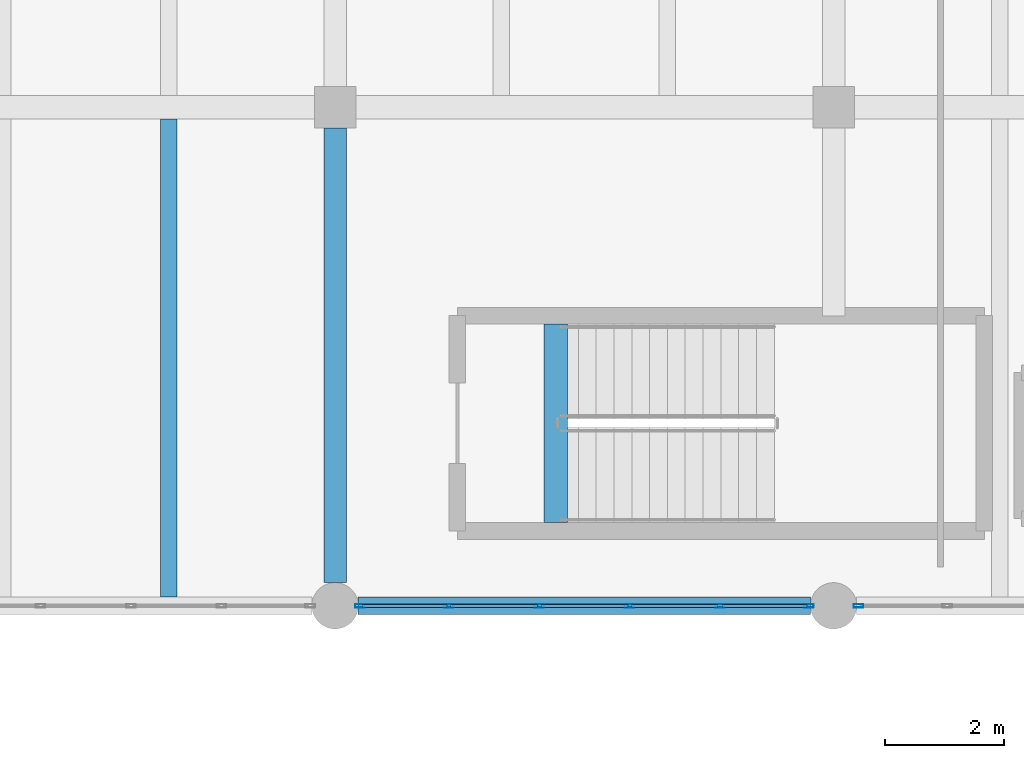
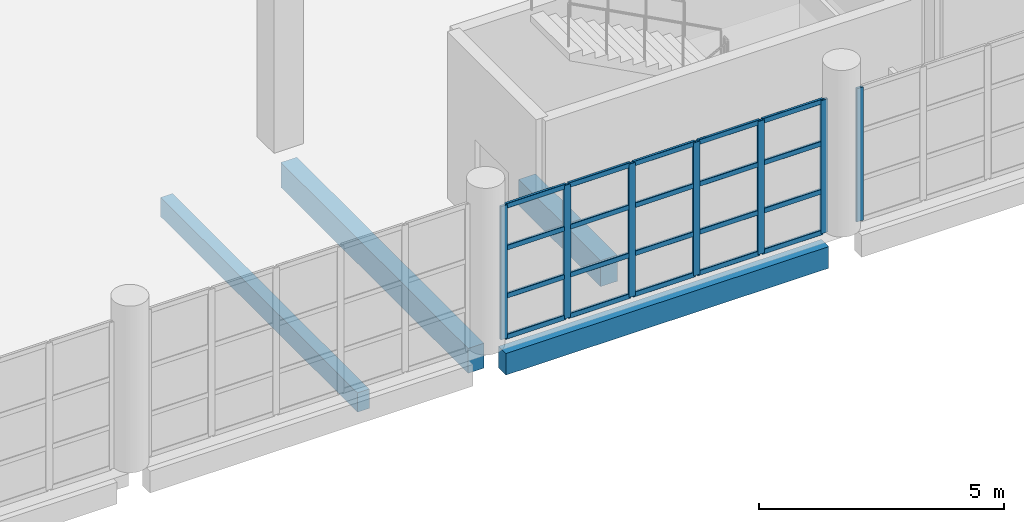
# One storey, part 86 of 177: 27 members, 4 beams, 2 elements without a shape of their own.
"""IFC4 building model written with IfcOpenShell, lengths in metres."""

from ifc_helpers import new_model, si_unit, direction, frame, origin, origin_2d, place, context, subcontext, project, spatial, rectangle, hollow_rectangle, extrude, material, layer, layer_set, material_profile, profile_set, type_object, element, aggregate, save


model = new_model("IFC4")

# Units and contexts
model_context = context("Model", 3, precision=1e-05, world=origin(), true_north=direction((0.0, 1.0)))
body_context = subcontext(model_context, "Body", "Model", "MODEL_VIEW")
ifc_project = project(units=[si_unit("LENGTHUNIT", "METRE"), si_unit("AREAUNIT", "SQUARE_METRE"), si_unit("VOLUMEUNIT", "CUBIC_METRE"), si_unit("PLANEANGLEUNIT", "RADIAN"), si_unit("MASSUNIT", "GRAM", prefix="KILO"), si_unit("THERMODYNAMICTEMPERATUREUNIT", "KELVIN"), si_unit("POWERUNIT", "WATT")], contexts=[model_context])

# Site, building, storey
site_placement = place(None, origin())
site = spatial("IfcSite", under=ifc_project, at=site_placement, CompositionType="ELEMENT")
building_placement = place(site_placement, origin())
building = spatial("IfcBuilding", under=site, at=building_placement, Name="Mavoryth Pier Ferry Terminal", CompositionType="ELEMENT")
storey_placement = place(building_placement, frame((0.0, 0.0, 5.43994140625)))
storey = spatial("IfcBuildingStorey", under=building, at=storey_placement, Name="L01", CompositionType="ELEMENT", Elevation=5.43994140625)

# Beams
ifc_material_1 = material(Name="Concrete C35/45", Category="concrete")
ifc_material_profile_1 = material_profile(ifc_material_1, rectangle(XDim=0.3798828125, YDim=0.6201171875, at=origin_2d()), Name="RC 380x620", Category="concrete")
ifc_profile_set_1 = profile_set([ifc_material_profile_1], Name="Concrete C35/45 - RC 380x620")
beam_type_1 = type_object("IfcBeamType", Name="Girder-RC-380x620", PredefinedType="BEAM", material=ifc_profile_set_1)
beam_1_placement = place(storey_placement, frame((75.60009765625, 72.7900390625, -0.58984375), z_axis=(0.0, 1.0, 0.0), x_axis=(-1.0, 0.0, 0.0)))
element("IfcBeam", 1, at=beam_1_placement, inside=storey, type_object=beam_type_1, Name="Beam B01-BG06-0215", PredefinedType="BEAM", context=body_context, shape_type="SweptSolid", body=[
    extrude(rectangle(XDim=0.3798828125, YDim=0.6201171875, at=origin_2d()), origin(), (0.0, 0.0, 1.0), 7.659912109375),
])
ifc_material_profile_2 = material_profile(ifc_material_1, rectangle(XDim=0.39990234375, YDim=0.64990234375, at=origin_2d()), Name="RC 400x650", Category="concrete")
ifc_profile_set_2 = profile_set([ifc_material_profile_2], Name="Concrete C35/45 - RC 400x650")
beam_type_2 = type_object("IfcBeamType", Name="Girder-RC-400x650", PredefinedType="BEAM", material=ifc_profile_set_2)
beam_2_placement = place(storey_placement, frame((79.320068359375, 73.800048828125, -0.324951171875), z_axis=(0.0, 1.0, 0.0), x_axis=(-1.0, 0.0, 0.0)))
element("IfcBeam", 2, at=beam_2_placement, inside=storey, type_object=beam_type_2, Name="Beam B01-BG05-1572", PredefinedType="BEAM", context=body_context, shape_type="SweptSolid", body=[
    extrude(rectangle(XDim=0.39990234375, YDim=0.64990234375, at=origin_2d()), origin(), (0.0, 0.0, 1.0), 3.349853515625),
])
ifc_material_profile_3 = material_profile(ifc_material_1, rectangle(XDim=0.280029296875, YDim=0.47998046875, at=origin_2d()), Name="RC 280x480", Category="concrete")
ifc_profile_set_3 = profile_set([ifc_material_profile_3], Name="Concrete C35/45 - RC 280x480")
beam_type_3 = type_object("IfcBeamType", Name="Joist-RC-280x480", PredefinedType="JOIST", material=ifc_profile_set_3)
beam_3_placement = place(storey_placement, frame((72.800048828125, 72.550048828125, -0.52001953125), z_axis=(0.0, 1.0, 0.0), x_axis=(-1.0, 0.0, 0.0)))
element("IfcBeam", 3, at=beam_3_placement, inside=storey, type_object=beam_type_3, Name="Beam B01-BJ02-0240", PredefinedType="JOIST", context=body_context, shape_type="SweptSolid", body=[
    extrude(rectangle(XDim=0.280029296875, YDim=0.47998046875, at=origin_2d()), origin(), (0.0, 0.0, 1.0), 8.050048828125),
])

# Curtain wall, members
ifc_material_2 = material(Name="Anodised Aluminium and Solar-Control Low-E Glass", Category="aluminium")
ifc_layer = layer(ifc_material_2, 0.159912109375, Name="Anodised Aluminium and Solar-Control Low-E Glass", Category="aluminium")
ifc_layer_set = layer_set([ifc_layer], Name="Anodised Aluminium and Solar-Control Low-E Glass - CW-Arrivals-Mod1400")
curtain_wall_type = type_object("IfcCurtainWallType", Name="CW-Arrivals-Mod1400", PredefinedType="USERDEFINED", material=ifc_layer_set)
curtain_wall_1_placement = place(storey_placement, origin())
curtain_wall_1 = element("IfcCurtainWall", 4, at=curtain_wall_1_placement, inside=storey, type_object=curtain_wall_type, Name="Curtain Wall CW-0122-059", ObjectType="UNITISED CURTAIN WALL", PredefinedType="USERDEFINED")
ifc_material_3 = material(Name="Anodised Aluminium EN AW-6063", Category="aluminium")
ifc_material_profile_4 = material_profile(ifc_material_3, hollow_rectangle(XDim=0.06005859375, YDim=0.1650390625, WallThickness=0.00390625, InnerFilletRadius=0.00390625, OuterFilletRadius=0.008056640625, at=origin_2d()), Name="AL-MULL 165x60x4", Category="aluminium")
ifc_profile_set_4 = profile_set([ifc_material_profile_4], Name="Anodised Aluminium EN AW-6063 - AL-MULL 165x60x4")
member_type_1 = type_object("IfcMemberType", Name="Mullion-Alum-165x60", PredefinedType="MULLION", material=ifc_profile_set_4)
member_1_placement = place(storey_placement, frame((76.02001953125, 72.39990234375, 0.0), z_axis=(0.0, 0.0, 1.0), x_axis=(0.0, 1.0, 0.0)))
member_1 = element("IfcMember", 5, at=member_1_placement, type_object=member_type_1, Name="CW04 mullion 1", PredefinedType="MULLION", context=body_context, shape_type="SweptSolid", body=[
    extrude(hollow_rectangle(XDim=0.06005859375, YDim=0.1650390625, WallThickness=0.00390625, InnerFilletRadius=0.00390625, OuterFilletRadius=0.008056640625, at=origin_2d()), origin(), (0.0, 0.0, 1.0), 3.324951171875),
])
member_2_placement = place(storey_placement, frame((77.513916015625, 72.39990234375, 0.0), z_axis=(0.0, 0.0, 1.0), x_axis=(0.0, 1.0, 0.0)))
member_2 = element("IfcMember", 6, at=member_2_placement, type_object=member_type_1, Name="CW04 mullion 2", PredefinedType="MULLION", context=body_context, shape_type="SweptSolid", body=[
    extrude(hollow_rectangle(XDim=0.06005859375, YDim=0.1650390625, WallThickness=0.00390625, InnerFilletRadius=0.00390625, OuterFilletRadius=0.008056640625, at=origin_2d()), origin(), (0.0, 0.0, 1.0), 3.324951171875),
])
member_3_placement = place(storey_placement, frame((79.0380859375, 72.39990234375, 0.0), z_axis=(0.0, 0.0, 1.0), x_axis=(0.0, 1.0, 0.0)))
member_3 = element("IfcMember", 7, at=member_3_placement, type_object=member_type_1, Name="CW04 mullion 3", PredefinedType="MULLION", context=body_context, shape_type="SweptSolid", body=[
    extrude(hollow_rectangle(XDim=0.06005859375, YDim=0.1650390625, WallThickness=0.00390625, InnerFilletRadius=0.00390625, OuterFilletRadius=0.008056640625, at=origin_2d()), origin(), (0.0, 0.0, 1.0), 3.324951171875),
])
member_4_placement = place(storey_placement, frame((80.56201171875, 72.39990234375, 0.0), z_axis=(0.0, 0.0, 1.0), x_axis=(0.0, 1.0, 0.0)))
member_4 = element("IfcMember", 8, at=member_4_placement, type_object=member_type_1, Name="CW04 mullion 4", PredefinedType="MULLION", context=body_context, shape_type="SweptSolid", body=[
    extrude(hollow_rectangle(XDim=0.06005859375, YDim=0.1650390625, WallThickness=0.00390625, InnerFilletRadius=0.00390625, OuterFilletRadius=0.008056640625, at=origin_2d()), origin(), (0.0, 0.0, 1.0), 3.324951171875),
])
member_5_placement = place(storey_placement, frame((82.0859375, 72.39990234375, 0.0), z_axis=(0.0, 0.0, 1.0), x_axis=(0.0, 1.0, 0.0)))
member_5 = element("IfcMember", 9, at=member_5_placement, type_object=member_type_1, Name="CW04 mullion 5", PredefinedType="MULLION", context=body_context, shape_type="SweptSolid", body=[
    extrude(hollow_rectangle(XDim=0.06005859375, YDim=0.1650390625, WallThickness=0.00390625, InnerFilletRadius=0.00390625, OuterFilletRadius=0.008056640625, at=origin_2d()), origin(), (0.0, 0.0, 1.0), 3.324951171875),
])
member_6_placement = place(storey_placement, frame((83.580078125, 72.39990234375, 0.0), z_axis=(0.0, 0.0, 1.0), x_axis=(0.0, 1.0, 0.0)))
member_6 = element("IfcMember", 10, at=member_6_placement, type_object=member_type_1, Name="CW04 mullion 6", PredefinedType="MULLION", context=body_context, shape_type="SweptSolid", body=[
    extrude(hollow_rectangle(XDim=0.06005859375, YDim=0.1650390625, WallThickness=0.00390625, InnerFilletRadius=0.00390625, OuterFilletRadius=0.008056640625, at=origin_2d()), origin(), (0.0, 0.0, 1.0), 3.324951171875),
])

# Curtain wall, member
curtain_wall_2_placement = place(storey_placement, origin())
curtain_wall_2 = element("IfcCurtainWall", 11, at=curtain_wall_2_placement, inside=storey, type_object=curtain_wall_type, Name="Curtain Wall CW-0122-062", ObjectType="UNITISED CURTAIN WALL", PredefinedType="USERDEFINED")
member_7_placement = place(storey_placement, frame((84.419921875, 72.39990234375, 0.0), z_axis=(0.0, 0.0, 1.0), x_axis=(0.0, 1.0, 0.0)))
member_7 = element("IfcMember", 12, at=member_7_placement, type_object=member_type_1, Name="CW04 mullion 1", PredefinedType="MULLION", context=body_context, shape_type="SweptSolid", body=[
    extrude(hollow_rectangle(XDim=0.06005859375, YDim=0.1650390625, WallThickness=0.00390625, InnerFilletRadius=0.00390625, OuterFilletRadius=0.008056640625, at=origin_2d()), origin(), (0.0, 0.0, 1.0), 3.324951171875),
])
aggregate(curtain_wall_2, [member_7])

# Beam
ifc_material_profile_5 = material_profile(ifc_material_1, rectangle(XDim=0.300048828125, YDim=0.5400390625, at=origin_2d()), Name="RC 300x540", Category="concrete")
ifc_profile_set_5 = profile_set([ifc_material_profile_5], Name="Concrete C35/45 - RC 300x540")
beam_type_4 = type_object("IfcBeamType", Name="Spandrel-RC-300x540", PredefinedType="SPANDREL", material=ifc_profile_set_5)
beam_4_placement = place(storey_placement, frame((75.989990234375, 72.39990234375, -0.550048828125), z_axis=(1.0, 0.0, 0.0), x_axis=(0.0, 1.0, 0.0)))
element("IfcBeam", 13, at=beam_4_placement, inside=storey, type_object=beam_type_4, Name="Beam B01-SP02-0182", PredefinedType="SPANDREL", context=body_context, shape_type="SweptSolid", body=[
    extrude(rectangle(XDim=0.300048828125, YDim=0.5400390625, at=origin_2d()), origin(), (0.0, 0.0, 1.0), 7.6201171875),
])

# Member
ifc_material_profile_6 = material_profile(ifc_material_3, hollow_rectangle(XDim=0.06005859375, YDim=0.125, WallThickness=0.00390625, InnerFilletRadius=0.00390625, OuterFilletRadius=0.008056640625, at=origin_2d()), Name="AL-TRAN 125x60x4", Category="aluminium")
ifc_profile_set_6 = profile_set([ifc_material_profile_6], Name="Anodised Aluminium EN AW-6063 - AL-TRAN 125x60x4")
member_type_2 = type_object("IfcMemberType", Name="Transom-Alum-125x60", PredefinedType="USERDEFINED", material=ifc_profile_set_6)
member_8_placement = place(storey_placement, frame((76.050048828125, 72.39990234375, 0.030029296875), z_axis=(1.0, 0.0, 0.0), x_axis=(0.0, 1.0, 0.0)))
member_8 = element("IfcMember", 14, at=member_8_placement, type_object=member_type_2, Name="CW04 transom 1.1", ObjectType="TRANSOM", PredefinedType="USERDEFINED", context=body_context, shape_type="SweptSolid", body=[
    extrude(hollow_rectangle(XDim=0.06005859375, YDim=0.125, WallThickness=0.00390625, InnerFilletRadius=0.00390625, OuterFilletRadius=0.008056640625, at=origin_2d()), origin(), (0.0, 0.0, 1.0), 1.433837890625),
])

member_9_placement = place(storey_placement, frame((76.050048828125, 72.39990234375, 1.050048828125), z_axis=(1.0, 0.0, 0.0), x_axis=(0.0, 1.0, 0.0)))
member_9 = element("IfcMember", 15, at=member_9_placement, type_object=member_type_2, Name="CW04 transom 1.2", ObjectType="TRANSOM", PredefinedType="USERDEFINED", context=body_context, shape_type="SweptSolid", body=[
    extrude(hollow_rectangle(XDim=0.06005859375, YDim=0.125, WallThickness=0.00390625, InnerFilletRadius=0.00390625, OuterFilletRadius=0.008056640625, at=origin_2d()), origin(), (0.0, 0.0, 1.0), 1.433837890625),
])

member_10_placement = place(storey_placement, frame((76.050048828125, 72.39990234375, 2.25), z_axis=(1.0, 0.0, 0.0), x_axis=(0.0, 1.0, 0.0)))
member_10 = element("IfcMember", 16, at=member_10_placement, type_object=member_type_2, Name="CW04 transom 1.3", ObjectType="TRANSOM", PredefinedType="USERDEFINED", context=body_context, shape_type="SweptSolid", body=[
    extrude(hollow_rectangle(XDim=0.06005859375, YDim=0.125, WallThickness=0.00390625, InnerFilletRadius=0.00390625, OuterFilletRadius=0.008056640625, at=origin_2d()), origin(), (0.0, 0.0, 1.0), 1.433837890625),
])

member_11_placement = place(storey_placement, frame((76.050048828125, 72.39990234375, 3.295166015625), z_axis=(1.0, 0.0, 0.0), x_axis=(0.0, 1.0, 0.0)))
member_11 = element("IfcMember", 17, at=member_11_placement, type_object=member_type_2, Name="CW04 transom 1.4", ObjectType="TRANSOM", PredefinedType="USERDEFINED", context=body_context, shape_type="SweptSolid", body=[
    extrude(hollow_rectangle(XDim=0.06005859375, YDim=0.125, WallThickness=0.00390625, InnerFilletRadius=0.00390625, OuterFilletRadius=0.008056640625, at=origin_2d()), origin(), (0.0, 0.0, 1.0), 1.433837890625),
])

member_12_placement = place(storey_placement, frame((77.5439453125, 72.39990234375, 0.030029296875), z_axis=(1.0, 0.0, 0.0), x_axis=(0.0, 1.0, 0.0)))
member_12 = element("IfcMember", 18, at=member_12_placement, type_object=member_type_2, Name="CW04 transom 2.1", ObjectType="TRANSOM", PredefinedType="USERDEFINED", context=body_context, shape_type="SweptSolid", body=[
    extrude(hollow_rectangle(XDim=0.06005859375, YDim=0.125, WallThickness=0.00390625, InnerFilletRadius=0.00390625, OuterFilletRadius=0.008056640625, at=origin_2d()), origin(), (0.0, 0.0, 1.0), 1.464111328125),
])

member_13_placement = place(storey_placement, frame((77.5439453125, 72.39990234375, 1.050048828125), z_axis=(1.0, 0.0, 0.0), x_axis=(0.0, 1.0, 0.0)))
member_13 = element("IfcMember", 19, at=member_13_placement, type_object=member_type_2, Name="CW04 transom 2.2", ObjectType="TRANSOM", PredefinedType="USERDEFINED", context=body_context, shape_type="SweptSolid", body=[
    extrude(hollow_rectangle(XDim=0.06005859375, YDim=0.125, WallThickness=0.00390625, InnerFilletRadius=0.00390625, OuterFilletRadius=0.008056640625, at=origin_2d()), origin(), (0.0, 0.0, 1.0), 1.464111328125),
])

member_14_placement = place(storey_placement, frame((77.5439453125, 72.39990234375, 2.25), z_axis=(1.0, 0.0, 0.0), x_axis=(0.0, 1.0, 0.0)))
member_14 = element("IfcMember", 20, at=member_14_placement, type_object=member_type_2, Name="CW04 transom 2.3", ObjectType="TRANSOM", PredefinedType="USERDEFINED", context=body_context, shape_type="SweptSolid", body=[
    extrude(hollow_rectangle(XDim=0.06005859375, YDim=0.125, WallThickness=0.00390625, InnerFilletRadius=0.00390625, OuterFilletRadius=0.008056640625, at=origin_2d()), origin(), (0.0, 0.0, 1.0), 1.464111328125),
])

member_15_placement = place(storey_placement, frame((77.5439453125, 72.39990234375, 3.295166015625), z_axis=(1.0, 0.0, 0.0), x_axis=(0.0, 1.0, 0.0)))
member_15 = element("IfcMember", 21, at=member_15_placement, type_object=member_type_2, Name="CW04 transom 2.4", ObjectType="TRANSOM", PredefinedType="USERDEFINED", context=body_context, shape_type="SweptSolid", body=[
    extrude(hollow_rectangle(XDim=0.06005859375, YDim=0.125, WallThickness=0.00390625, InnerFilletRadius=0.00390625, OuterFilletRadius=0.008056640625, at=origin_2d()), origin(), (0.0, 0.0, 1.0), 1.464111328125),
])

member_16_placement = place(storey_placement, frame((79.068115234375, 72.39990234375, 0.030029296875), z_axis=(1.0, 0.0, 0.0), x_axis=(0.0, 1.0, 0.0)))
member_16 = element("IfcMember", 22, at=member_16_placement, type_object=member_type_2, Name="CW04 transom 3.1", ObjectType="TRANSOM", PredefinedType="USERDEFINED", context=body_context, shape_type="SweptSolid", body=[
    extrude(hollow_rectangle(XDim=0.06005859375, YDim=0.125, WallThickness=0.00390625, InnerFilletRadius=0.00390625, OuterFilletRadius=0.008056640625, at=origin_2d()), origin(), (0.0, 0.0, 1.0), 1.4638671875),
])

member_17_placement = place(storey_placement, frame((79.068115234375, 72.39990234375, 1.050048828125), z_axis=(1.0, 0.0, 0.0), x_axis=(0.0, 1.0, 0.0)))
member_17 = element("IfcMember", 23, at=member_17_placement, type_object=member_type_2, Name="CW04 transom 3.2", ObjectType="TRANSOM", PredefinedType="USERDEFINED", context=body_context, shape_type="SweptSolid", body=[
    extrude(hollow_rectangle(XDim=0.06005859375, YDim=0.125, WallThickness=0.00390625, InnerFilletRadius=0.00390625, OuterFilletRadius=0.008056640625, at=origin_2d()), origin(), (0.0, 0.0, 1.0), 1.4638671875),
])

member_18_placement = place(storey_placement, frame((79.068115234375, 72.39990234375, 2.25), z_axis=(1.0, 0.0, 0.0), x_axis=(0.0, 1.0, 0.0)))
member_18 = element("IfcMember", 24, at=member_18_placement, type_object=member_type_2, Name="CW04 transom 3.3", ObjectType="TRANSOM", PredefinedType="USERDEFINED", context=body_context, shape_type="SweptSolid", body=[
    extrude(hollow_rectangle(XDim=0.06005859375, YDim=0.125, WallThickness=0.00390625, InnerFilletRadius=0.00390625, OuterFilletRadius=0.008056640625, at=origin_2d()), origin(), (0.0, 0.0, 1.0), 1.4638671875),
])

member_19_placement = place(storey_placement, frame((79.068115234375, 72.39990234375, 3.295166015625), z_axis=(1.0, 0.0, 0.0), x_axis=(0.0, 1.0, 0.0)))
member_19 = element("IfcMember", 25, at=member_19_placement, type_object=member_type_2, Name="CW04 transom 3.4", ObjectType="TRANSOM", PredefinedType="USERDEFINED", context=body_context, shape_type="SweptSolid", body=[
    extrude(hollow_rectangle(XDim=0.06005859375, YDim=0.125, WallThickness=0.00390625, InnerFilletRadius=0.00390625, OuterFilletRadius=0.008056640625, at=origin_2d()), origin(), (0.0, 0.0, 1.0), 1.4638671875),
])

member_20_placement = place(storey_placement, frame((80.592041015625, 72.39990234375, 0.030029296875), z_axis=(1.0, 0.0, 0.0), x_axis=(0.0, 1.0, 0.0)))
member_20 = element("IfcMember", 26, at=member_20_placement, type_object=member_type_2, Name="CW04 transom 4.1", ObjectType="TRANSOM", PredefinedType="USERDEFINED", context=body_context, shape_type="SweptSolid", body=[
    extrude(hollow_rectangle(XDim=0.06005859375, YDim=0.125, WallThickness=0.00390625, InnerFilletRadius=0.00390625, OuterFilletRadius=0.008056640625, at=origin_2d()), origin(), (0.0, 0.0, 1.0), 1.4638671875),
])

member_21_placement = place(storey_placement, frame((80.592041015625, 72.39990234375, 1.050048828125), z_axis=(1.0, 0.0, 0.0), x_axis=(0.0, 1.0, 0.0)))
member_21 = element("IfcMember", 27, at=member_21_placement, type_object=member_type_2, Name="CW04 transom 4.2", ObjectType="TRANSOM", PredefinedType="USERDEFINED", context=body_context, shape_type="SweptSolid", body=[
    extrude(hollow_rectangle(XDim=0.06005859375, YDim=0.125, WallThickness=0.00390625, InnerFilletRadius=0.00390625, OuterFilletRadius=0.008056640625, at=origin_2d()), origin(), (0.0, 0.0, 1.0), 1.4638671875),
])

member_22_placement = place(storey_placement, frame((80.592041015625, 72.39990234375, 2.25), z_axis=(1.0, 0.0, 0.0), x_axis=(0.0, 1.0, 0.0)))
member_22 = element("IfcMember", 28, at=member_22_placement, type_object=member_type_2, Name="CW04 transom 4.3", ObjectType="TRANSOM", PredefinedType="USERDEFINED", context=body_context, shape_type="SweptSolid", body=[
    extrude(hollow_rectangle(XDim=0.06005859375, YDim=0.125, WallThickness=0.00390625, InnerFilletRadius=0.00390625, OuterFilletRadius=0.008056640625, at=origin_2d()), origin(), (0.0, 0.0, 1.0), 1.4638671875),
])

member_23_placement = place(storey_placement, frame((80.592041015625, 72.39990234375, 3.295166015625), z_axis=(1.0, 0.0, 0.0), x_axis=(0.0, 1.0, 0.0)))
member_23 = element("IfcMember", 29, at=member_23_placement, type_object=member_type_2, Name="CW04 transom 4.4", ObjectType="TRANSOM", PredefinedType="USERDEFINED", context=body_context, shape_type="SweptSolid", body=[
    extrude(hollow_rectangle(XDim=0.06005859375, YDim=0.125, WallThickness=0.00390625, InnerFilletRadius=0.00390625, OuterFilletRadius=0.008056640625, at=origin_2d()), origin(), (0.0, 0.0, 1.0), 1.4638671875),
])

member_24_placement = place(storey_placement, frame((82.115966796875, 72.39990234375, 0.030029296875), z_axis=(1.0, 0.0, 0.0), x_axis=(0.0, 1.0, 0.0)))
member_24 = element("IfcMember", 30, at=member_24_placement, type_object=member_type_2, Name="CW04 transom 5.1", ObjectType="TRANSOM", PredefinedType="USERDEFINED", context=body_context, shape_type="SweptSolid", body=[
    extrude(hollow_rectangle(XDim=0.06005859375, YDim=0.125, WallThickness=0.00390625, InnerFilletRadius=0.00390625, OuterFilletRadius=0.008056640625, at=origin_2d()), origin(), (0.0, 0.0, 1.0), 1.43408203125),
])

member_25_placement = place(storey_placement, frame((82.115966796875, 72.39990234375, 1.050048828125), z_axis=(1.0, 0.0, 0.0), x_axis=(0.0, 1.0, 0.0)))
member_25 = element("IfcMember", 31, at=member_25_placement, type_object=member_type_2, Name="CW04 transom 5.2", ObjectType="TRANSOM", PredefinedType="USERDEFINED", context=body_context, shape_type="SweptSolid", body=[
    extrude(hollow_rectangle(XDim=0.06005859375, YDim=0.125, WallThickness=0.00390625, InnerFilletRadius=0.00390625, OuterFilletRadius=0.008056640625, at=origin_2d()), origin(), (0.0, 0.0, 1.0), 1.43408203125),
])

member_26_placement = place(storey_placement, frame((82.115966796875, 72.39990234375, 2.25), z_axis=(1.0, 0.0, 0.0), x_axis=(0.0, 1.0, 0.0)))
member_26 = element("IfcMember", 32, at=member_26_placement, type_object=member_type_2, Name="CW04 transom 5.3", ObjectType="TRANSOM", PredefinedType="USERDEFINED", context=body_context, shape_type="SweptSolid", body=[
    extrude(hollow_rectangle(XDim=0.06005859375, YDim=0.125, WallThickness=0.00390625, InnerFilletRadius=0.00390625, OuterFilletRadius=0.008056640625, at=origin_2d()), origin(), (0.0, 0.0, 1.0), 1.43408203125),
])

member_27_placement = place(storey_placement, frame((82.115966796875, 72.39990234375, 3.295166015625), z_axis=(1.0, 0.0, 0.0), x_axis=(0.0, 1.0, 0.0)))
member_27 = element("IfcMember", 33, at=member_27_placement, type_object=member_type_2, Name="CW04 transom 5.4", ObjectType="TRANSOM", PredefinedType="USERDEFINED", context=body_context, shape_type="SweptSolid", body=[
    extrude(hollow_rectangle(XDim=0.06005859375, YDim=0.125, WallThickness=0.00390625, InnerFilletRadius=0.00390625, OuterFilletRadius=0.008056640625, at=origin_2d()), origin(), (0.0, 0.0, 1.0), 1.43408203125),
])

aggregate(curtain_wall_1, [member_1, member_2, member_3, member_4, member_5, member_6, member_8, member_9, member_10, member_11, member_12, member_13, member_14, member_15, member_16, member_17, member_18, member_19, member_20, member_21, member_22, member_23, member_24, member_25, member_26, member_27])

save(model, "model.ifc")
